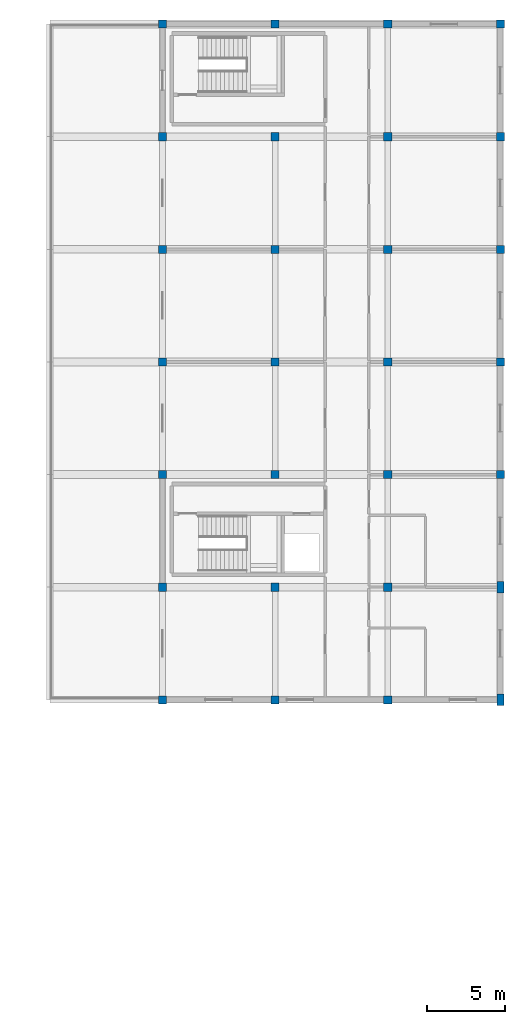
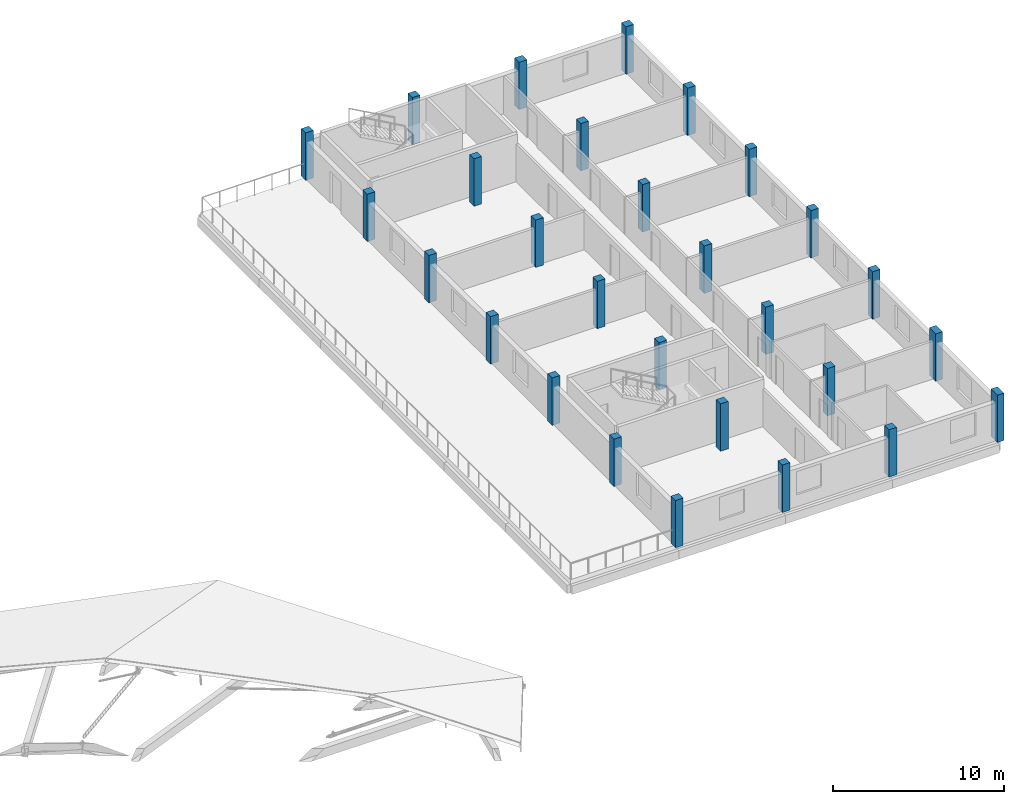
# One storey, part 2 of 66: 28 columns.
"""IFC4 building model written with IfcOpenShell, lengths in metres."""

from ifc_helpers import new_model, si_unit, direction, frame, origin, origin_2d, place, context, subcontext, project, spatial, rectangle, extrude, material, material_profile, profile_set, type_object, element, save


model = new_model("IFC4")

# Units and contexts
model_context = context("Model", 3, precision=1e-05, world=origin(), true_north=direction((0.0, 1.0)))
body_context = subcontext(model_context, "Body", "Model", "MODEL_VIEW")
ifc_project = project(units=[si_unit("LENGTHUNIT", "METRE"), si_unit("AREAUNIT", "SQUARE_METRE"), si_unit("VOLUMEUNIT", "CUBIC_METRE"), si_unit("PLANEANGLEUNIT", "RADIAN"), si_unit("MASSUNIT", "GRAM", prefix="KILO")], contexts=[model_context])

# Site, building, storey
site_placement = place(None, origin())
site = spatial("IfcSite", under=ifc_project, at=site_placement, CompositionType="ELEMENT")
building_placement = place(site_placement, origin())
building = spatial("IfcBuilding", under=site, at=building_placement, Name="Zornivar Specialist Clinic", CompositionType="ELEMENT")
storey_placement = place(building_placement, frame((0.0, 0.0, 16.0)))
storey = spatial("IfcBuildingStorey", under=building, at=storey_placement, Name="L04", CompositionType="ELEMENT", Elevation=16.0)

# Columns
ifc_material_1 = material(Name="Concrete C35/45", Category="concrete")
ifc_material_profile_1 = material_profile(ifc_material_1, rectangle(XDim=0.449951171875, YDim=0.75, at=origin_2d()), Name="RC 450x750")
ifc_profile_set_1 = profile_set([ifc_material_profile_1], Name="Concrete C35/45")
column_type_1 = type_object("IfcColumnType", Name="COL-RC-450x750", PredefinedType="PILASTER", material=ifc_profile_set_1)
for number, where, z_axis, x_axis, name in (
    (1, (165.60009765625, 64.800048828125, 0.0), (0.0, 0.0, 1.0), (1.0, 0.0, 0.0), "col:V6:L04:1656_648"),
    (2, (165.60009765625, 72.0, 0.0), (0.0, 0.0, 1.0), (1.0, 0.0, 0.0), "col:V6:L04:1656_720"),
):
    element("IfcColumn", number, at=place(storey_placement, frame(where, z_axis=z_axis, x_axis=x_axis)), inside=storey, type_object=column_type_1, Name=name, PredefinedType="PILASTER", context=body_context, shape_type="SweptSolid", body=[
        extrude(rectangle(XDim=0.449951171875, YDim=0.75, at=origin_2d()), origin(), (0.0, 0.0, 1.0), 3.3798828125),
    ])
ifc_material_2 = material(Name="Concrete C35/45", Category="concrete")
ifc_material_profile_2 = material_profile(ifc_material_2, rectangle(XDim=0.52001953125, YDim=0.52001953125, at=origin_2d()), Name="RC 520x520")
ifc_profile_set_2 = profile_set([ifc_material_profile_2], Name="Concrete C35/45")
column_type_2 = type_object("IfcColumnType", Name="COL-RC-520", PredefinedType="COLUMN", material=ifc_profile_set_2)
for number, where, z_axis, x_axis, name in (
    (3, (144.0, 64.800048828125, 0.0), (0.0, 0.0, 1.0), (1.0, 0.0, 0.0), "col:V6:L04:1440_648"),
    (4, (144.0, 72.0, 0.0), (0.0, 0.0, 1.0), (1.0, 0.0, 0.0), "col:V6:L04:1440_720"),
    (5, (144.0, 79.199951171875, 0.0), (0.0, 0.0, 1.0), (1.0, 0.0, 0.0), "col:V6:L04:1440_792"),
    (6, (144.0, 86.39990234375, 0.0), (0.0, 0.0, 1.0), (1.0, 0.0, 0.0), "col:V6:L04:1440_864"),
    (7, (144.0, 93.60009765625, 0.0), (0.0, 0.0, 1.0), (1.0, 0.0, 0.0), "col:V6:L04:1440_936"),
    (8, (144.0, 100.800048828125, 0.0), (0.0, 0.0, 1.0), (1.0, 0.0, 0.0), "col:V6:L04:1440_1008"),
    (9, (144.0, 108.0, 0.0), (0.0, 0.0, 1.0), (1.0, 0.0, 0.0), "col:V6:L04:1440_1080"),
    (10, (151.199951171875, 64.800048828125, 0.0), (0.0, 0.0, 1.0), (1.0, 0.0, 0.0), "col:V6:L04:1512_648"),
    (11, (151.199951171875, 72.0, 0.0), (0.0, 0.0, 1.0), (1.0, 0.0, 0.0), "col:V6:L04:1512_720"),
    (12, (151.199951171875, 79.199951171875, 0.0), (0.0, 0.0, 1.0), (1.0, 0.0, 0.0), "col:V6:L04:1512_792"),
    (13, (151.199951171875, 86.39990234375, 0.0), (0.0, 0.0, 1.0), (1.0, 0.0, 0.0), "col:V6:L04:1512_864"),
    (14, (151.199951171875, 93.60009765625, 0.0), (0.0, 0.0, 1.0), (1.0, 0.0, 0.0), "col:V6:L04:1512_936"),
    (15, (151.199951171875, 100.800048828125, 0.0), (0.0, 0.0, 1.0), (1.0, 0.0, 0.0), "col:V6:L04:1512_1008"),
    (16, (151.199951171875, 108.0, 0.0), (0.0, 0.0, 1.0), (1.0, 0.0, 0.0), "col:V6:L04:1512_1080"),
    (17, (158.39990234375, 64.800048828125, 0.0), (0.0, 0.0, 1.0), (1.0, 0.0, 0.0), "col:V6:L04:1584_648"),
    (18, (158.39990234375, 72.0, 0.0), (0.0, 0.0, 1.0), (1.0, 0.0, 0.0), "col:V6:L04:1584_720"),
    (19, (158.39990234375, 79.199951171875, 0.0), (0.0, 0.0, 1.0), (1.0, 0.0, 0.0), "col:V6:L04:1584_792"),
    (20, (158.39990234375, 86.39990234375, 0.0), (0.0, 0.0, 1.0), (1.0, 0.0, 0.0), "col:V6:L04:1584_864"),
    (21, (158.39990234375, 93.60009765625, 0.0), (0.0, 0.0, 1.0), (1.0, 0.0, 0.0), "col:V6:L04:1584_936"),
    (22, (158.39990234375, 100.800048828125, 0.0), (0.0, 0.0, 1.0), (1.0, 0.0, 0.0), "col:V6:L04:1584_1008"),
    (23, (158.39990234375, 108.0, 0.0), (0.0, 0.0, 1.0), (1.0, 0.0, 0.0), "col:V6:L04:1584_1080"),
    (24, (165.60009765625, 79.199951171875, 0.0), (0.0, 0.0, 1.0), (1.0, 0.0, 0.0), "col:V6:L04:1656_792"),
    (25, (165.60009765625, 86.39990234375, 0.0), (0.0, 0.0, 1.0), (1.0, 0.0, 0.0), "col:V6:L04:1656_864"),
    (26, (165.60009765625, 93.60009765625, 0.0), (0.0, 0.0, 1.0), (1.0, 0.0, 0.0), "col:V6:L04:1656_936"),
    (27, (165.60009765625, 100.800048828125, 0.0), (0.0, 0.0, 1.0), (1.0, 0.0, 0.0), "col:V6:L04:1656_1008"),
    (28, (165.60009765625, 108.0, 0.0), (0.0, 0.0, 1.0), (1.0, 0.0, 0.0), "col:V6:L04:1656_1080"),
):
    element("IfcColumn", number, at=place(storey_placement, frame(where, z_axis=z_axis, x_axis=x_axis)), inside=storey, type_object=column_type_2, Name=name, PredefinedType="COLUMN", context=body_context, shape_type="SweptSolid", body=[
        extrude(rectangle(XDim=0.52001953125, YDim=0.52001953125, at=origin_2d()), origin(), (0.0, 0.0, 1.0), 3.3798828125),
    ])

save(model, "model.ifc")
